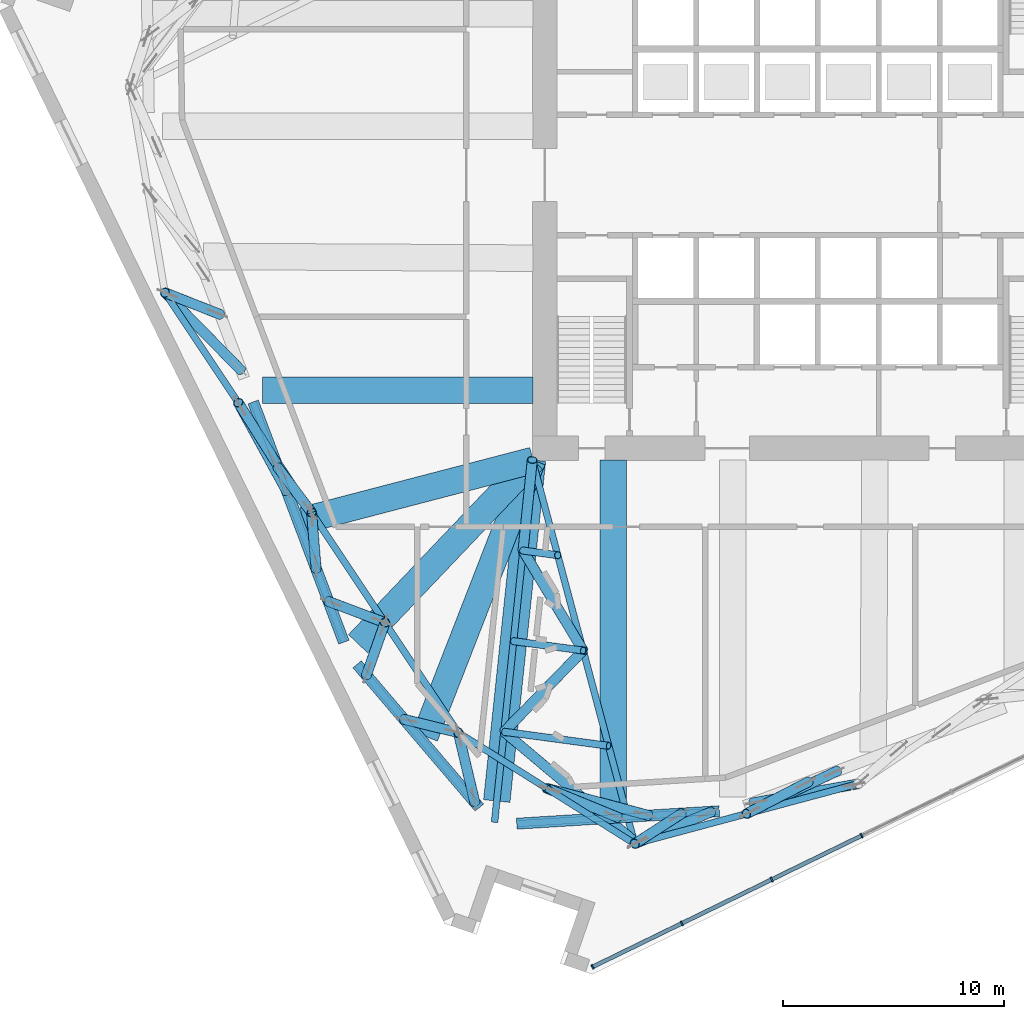
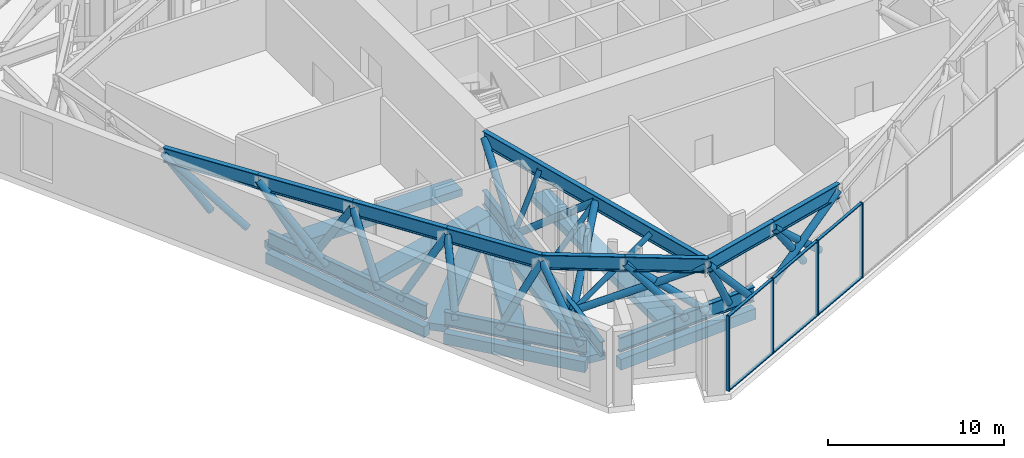
# One storey, part 1 of 21: 34 members, 22 beams, 1 element without a shape of its own.
"""IFC4 building model written with IfcOpenShell, lengths in metres."""

import ifcopenshell
import ifcopenshell.guid

model = None  # the IFC model being written
_history = None  # IfcOwnerHistory: only IFC2X3 demands one
_inside = {}  # id of a spatial element -> (the spatial element, [elements in it])
_under = {}  # id of a project, library or spatial element -> (it, [spatial elements below it])
_declared = {}  # id of a project -> (the project, [libraries it declares])
_typed = {}  # id of a type object -> (the type object, [elements of that type])
_made_of = {}  # id of a material, layer set ... -> (it, [elements and type objects made of it])


def new_model(schema):
    """Start an empty IFC model of exactly this schema.

    Asked for "IFC4X3", IfcOpenShell would pick the latest addendum, in which some entities
    have other attributes; the version numbers below select the first issue.
    IFC2X3 requires an IfcOwnerHistory on every rooted entity: one is made here for all.
    """
    global model, _history
    if schema == "IFC4X3":
        model = ifcopenshell.file(schema_version=(4, 3, 0, 0))
    else:
        model = ifcopenshell.file(schema=schema)
    _inside.clear()
    _under.clear()
    _declared.clear()
    _typed.clear()
    _made_of.clear()
    _history = None
    if model.schema == "IFC2X3":
        org = make("IfcOrganization", Name="unknown")
        user = make(
            "IfcPersonAndOrganization",
            ThePerson=make("IfcPerson", FamilyName="unknown"),
            TheOrganization=org,
        )
        app = make(
            "IfcApplication",
            ApplicationDeveloper=org,
            Version="unknown",
            ApplicationFullName="unknown",
            ApplicationIdentifier="unknown",
        )
        _history = make(
            "IfcOwnerHistory",
            OwningUser=user,
            OwningApplication=app,
            ChangeAction="ADDED",
            CreationDate=0,
        )
    return model


def make(cls, **values):
    """One entity of the class cls with the attributes given. An attribute that is None is left unset."""
    return model.create_entity(
        cls, **{name: value for name, value in values.items() if value is not None}
    )


def rooted(cls, **values):
    """An entity with a GlobalId (a new one), such as an element, a storey or a relation."""
    return make(cls, GlobalId=ifcopenshell.guid.new(), OwnerHistory=_history, **values)


def si_unit(unit_type, name, prefix=None):
    """IfcSIUnit, for example si_unit("LENGTHUNIT", "METRE", prefix="MILLI")."""
    return make("IfcSIUnit", UnitType=unit_type, Prefix=prefix, Name=name)


def assignment(units):
    """IfcUnitAssignment: the units of a project."""
    return None if units is None else make("IfcUnitAssignment", Units=units)


def point(xyz):
    """IfcCartesianPoint."""
    return None if xyz is None else make("IfcCartesianPoint", Coordinates=xyz)


def direction(xyz):
    """IfcDirection."""
    return None if xyz is None else make("IfcDirection", DirectionRatios=xyz)


def frame(location, z_axis=None, x_axis=None):
    """IfcAxis2Placement3D, a coordinate frame: its origin and axes. An axis left out is left unset."""
    return make(
        "IfcAxis2Placement3D",
        Location=point(location),
        Axis=direction(z_axis),
        RefDirection=direction(x_axis),
    )


def frame_2d(location, x_axis=None):
    """IfcAxis2Placement2D, a coordinate frame in the plane: its origin and x axis."""
    return make(
        "IfcAxis2Placement2D", Location=point(location), RefDirection=direction(x_axis)
    )


def origin():
    """The frame at (0, 0, 0) with its axes left unset."""
    return frame((0.0, 0.0, 0.0))


def origin_2d():
    """The frame at (0, 0) in the plane with its x axis left unset."""
    return frame_2d((0.0, 0.0))


def place(relative_to, where):
    """IfcLocalPlacement: puts the frame where relative to a parent placement (None: the world)."""
    return make(
        "IfcLocalPlacement", PlacementRelTo=relative_to, RelativePlacement=where
    )


def context(
    kind, dimensions, precision=None, world=None, true_north=None, identifier=None
):
    """IfcGeometricRepresentationContext, for example the 3D "Model" context."""
    return make(
        "IfcGeometricRepresentationContext",
        ContextIdentifier=identifier,
        ContextType=kind,
        CoordinateSpaceDimension=dimensions,
        Precision=precision,
        WorldCoordinateSystem=world,
        TrueNorth=true_north,
    )


def subcontext(parent, identifier, kind, view, scale=None):
    """IfcGeometricRepresentationSubContext, for example "Body" below "Model"."""
    return make(
        "IfcGeometricRepresentationSubContext",
        ContextIdentifier=identifier,
        ContextType=kind,
        ParentContext=parent,
        TargetScale=scale,
        TargetView=view,
    )


def project(units=None, contexts=None):
    """IfcProject with its units and contexts."""
    return rooted(
        "IfcProject",
        Name="project",
        RepresentationContexts=contexts,
        UnitsInContext=assignment(units),
    )


def spatial(cls, under=None, at=None, **own):
    """A site, building, storey or space (cls), placed at a placement, below another one or the project."""
    s = rooted(cls, ObjectPlacement=at, **own)
    if under is not None:
        _under.setdefault(under.id(), (under, []))[1].append(s)
    return s


def profile(cls, at=None, kind="AREA", **sizes):
    """A parametric profile (cls). Its sizes go by their IFC names, for example OverallWidth=200.0."""
    return make(cls, ProfileType=kind, Position=at, **sizes)


def rectangle(**sizes):
    """IfcRectangleProfileDef."""
    return profile("IfcRectangleProfileDef", **sizes)


def hollow_circle(**sizes):
    """IfcCircleHollowProfileDef."""
    return profile("IfcCircleHollowProfileDef", **sizes)


def i_section(**sizes):
    """IfcIShapeProfileDef."""
    return profile("IfcIShapeProfileDef", **sizes)


def extrude(swept, where, along, depth):
    """IfcExtrudedAreaSolid: the profile swept, set in the frame where, extruded along a direction by depth."""
    return make(
        "IfcExtrudedAreaSolid",
        SweptArea=swept,
        Position=where,
        ExtrudedDirection=direction(along),
        Depth=depth,
    )


def shape(context_of_items, identifier, shape_type, items):
    """IfcShapeRepresentation: the items that make up one representation, for example the "Body"."""
    return make(
        "IfcShapeRepresentation",
        ContextOfItems=context_of_items,
        RepresentationIdentifier=identifier,
        RepresentationType=shape_type,
        Items=items,
    )


def material(Name=None, Category=None):
    """IfcMaterial."""
    return make("IfcMaterial", Name=Name, Category=Category)


def material_profile(
    of_material, cross_section, Name=None, Category=None, Priority=None
):
    """IfcMaterialProfile: a cross section and its material."""
    return make(
        "IfcMaterialProfile",
        Name=Name,
        Material=of_material,
        Profile=cross_section,
        Priority=Priority,
        Category=Category,
    )


def profile_set(profiles, Name=None, composite=None):
    """IfcMaterialProfileSet."""
    return make(
        "IfcMaterialProfileSet",
        Name=Name,
        MaterialProfiles=profiles,
        CompositeProfile=composite,
    )


def made_of(thing, what):
    """Note that an element or type object is made of a material, layer set ...; save() writes the relation."""
    if what is not None:
        _made_of.setdefault(what.id(), (what, []))[1].append(thing)
    return thing


def type_object(cls, material=None, **own):
    """A type object (cls), such as IfcWallType, which elements share."""
    return made_of(rooted(cls, **own), material)


def element(
    cls,
    number,
    at=None,
    inside=None,
    cuts=None,
    type_object=None,
    material=None,
    context=None,
    identifier="Body",
    shape_type=None,
    held_by="IfcProductDefinitionShape",
    body=None,
    shapes=None,
    **own,
):
    """One element of the class cls, such as IfcWall. Its Tag is "e" and its number.

    at: its placement. inside: the storey or other place that contains it. cuts: it is an
    opening in that element (IfcRelVoidsElement). A single representation is given by context,
    identifier, shape_type and body (its items); several are given by shapes. held_by: the class
    of the entity that holds the representations. save() writes the other relations.
    """
    e = rooted(cls, Tag="e%d" % number, ObjectPlacement=at, **own)
    if body is not None:
        shapes = [shape(context, identifier, shape_type, body)]
    if shapes is not None:
        e.Representation = make(held_by, Representations=shapes)
    if inside is not None:
        _inside.setdefault(inside.id(), (inside, []))[1].append(e)
    if cuts is not None:
        rooted(
            "IfcRelVoidsElement", RelatingBuildingElement=cuts, RelatedOpeningElement=e
        )
    if type_object is not None:
        _typed.setdefault(type_object.id(), (type_object, []))[1].append(e)
    return made_of(e, material)


def aggregate(whole, parts):
    """IfcRelAggregates: a whole, such as a stair, and the parts it consists of."""
    return rooted("IfcRelAggregates", RelatingObject=whole, RelatedObjects=parts)


def save(model, path):
    """Write the relations noted so far, then the file.

    IfcRelAggregates (storeys below a building ...), IfcRelContainedInSpatialStructure (elements
    in a storey), IfcRelDefinesByType, IfcRelAssociatesMaterial and IfcRelDeclares: one each for
    every whole, place, type object, material and project.
    """
    for whole, parts in _under.values():
        aggregate(whole, parts)
    for where, things in _inside.values():
        rooted(
            "IfcRelContainedInSpatialStructure",
            RelatedElements=things,
            RelatingStructure=where,
        )
    for kind, things in _typed.values():
        rooted("IfcRelDefinesByType", RelatedObjects=things, RelatingType=kind)
    for what, things in _made_of.values():
        rooted("IfcRelAssociatesMaterial", RelatedObjects=things, RelatingMaterial=what)
    for by, libraries in _declared.values():
        rooted("IfcRelDeclares", RelatingContext=by, RelatedDefinitions=libraries)
    model.write(path)


model = new_model("IFC4")

# Units and contexts
model_context = context("Model", 3, precision=1e-05, world=origin(), true_north=direction((0.0, 1.0)))
body_context = subcontext(model_context, "Body", "Model", "MODEL_VIEW")
ifc_project = project(units=[si_unit("LENGTHUNIT", "METRE"), si_unit("AREAUNIT", "SQUARE_METRE"), si_unit("VOLUMEUNIT", "CUBIC_METRE"), si_unit("PLANEANGLEUNIT", "RADIAN"), si_unit("MASSUNIT", "GRAM", prefix="KILO")], contexts=[model_context])

# Site, building, storey
site_placement = place(None, origin())
site = spatial("IfcSite", under=ifc_project, at=site_placement, CompositionType="ELEMENT")
building_placement = place(site_placement, origin())
building = spatial("IfcBuilding", under=site, at=building_placement, Name="Dilmun Exchange Tower", CompositionType="ELEMENT")
storey_placement = place(building_placement, frame((0.0, 0.0, 130.10009765625)))
storey = spatial("IfcBuildingStorey", under=building, at=storey_placement, Name="L30", CompositionType="ELEMENT", Elevation=130.10009765625)

# Beams
ifc_material_1 = material(Name="Concrete C40/50", Category="concrete")
ifc_material_profile_1 = material_profile(ifc_material_1, rectangle(XDim=1.199951171875, YDim=0.5, at=origin_2d()), Name="1200 x 500")
ifc_profile_set_1 = profile_set([ifc_material_profile_1], Name="Concrete C40/50")
beam_type_1 = type_object("IfcBeamType", Name="RC band beam 1200 x 500 C40/50", PredefinedType="BEAM", material=ifc_profile_set_1)
beam_1_placement = place(storey_placement, frame((-25.111572265625, -9.717041015625, -0.77001953125), z_axis=(1.0, 0.0, 0.0), x_axis=(0.0, 1.0, 0.0)))
element("IfcBeam", 1, at=beam_1_placement, inside=storey, type_object=beam_type_1, Name="Band beam 7", PredefinedType="BEAM", context=body_context, shape_type="SweptSolid", body=[
    extrude(rectangle(XDim=1.199951171875, YDim=0.5, at=origin_2d()), origin(), (0.0, 0.0, 1.0), 12.238525390625),
])
beam_2_placement = place(storey_placement, frame((-20.780517578125, -21.181884765625, -0.77001953125), z_axis=(0.689333244672, 0.724444392476, 0.0), x_axis=(-0.724444392476, 0.689333244672, 0.0)))
element("IfcBeam", 2, at=beam_2_placement, inside=storey, type_object=beam_type_1, Name="Band beam 8", PredefinedType="BEAM", context=body_context, shape_type="SweptSolid", body=[
    extrude(rectangle(XDim=1.199951171875, YDim=0.5, at=origin_2d()), origin(), (0.0, 0.0, 1.0), 11.459228515625),
])
beam_3_placement = place(storey_placement, frame((-14.51220703125, -28.289794921875, -0.77001953125), z_axis=(0.104185478447, 0.994557884731, 0.0), x_axis=(-0.994557884731, 0.104185478447, 0.0)))
element("IfcBeam", 3, at=beam_3_placement, inside=storey, type_object=beam_type_1, Name="Band beam 9", PredefinedType="BEAM", context=body_context, shape_type="SweptSolid", body=[
    extrude(rectangle(XDim=1.199951171875, YDim=0.5, at=origin_2d()), origin(), (0.0, 0.0, 1.0), 15.501220703125),
])
beam_4_placement = place(storey_placement, frame((-23.264892578125, -15.602294921875, -0.670166015625), z_axis=(0.967651305888, 0.252291399404, 0.0), x_axis=(-0.252291399404, 0.967651305888, 0.0)))
element("IfcBeam", 4, at=beam_4_placement, inside=storey, type_object=beam_type_1, Name="Band beam 23", PredefinedType="BEAM", context=body_context, shape_type="SweptSolid", body=[
    extrude(rectangle(XDim=1.199951171875, YDim=0.5, at=origin_2d()), origin(), (0.0, 0.0, 1.0), 10.738525390625),
])
beam_5_placement = place(storey_placement, frame((-17.75390625, -25.36572265625, -0.670166015625), z_axis=(0.362868113779, 0.931840507814, 0.0), x_axis=(-0.931840507814, 0.362868113779, 0.0)))
element("IfcBeam", 5, at=beam_5_placement, inside=storey, type_object=beam_type_1, Name="Band beam 24", PredefinedType="BEAM", context=body_context, shape_type="SweptSolid", body=[
    extrude(rectangle(XDim=1.199951171875, YDim=0.5, at=origin_2d()), origin(), (0.0, 0.0, 1.0), 13.404296875),
])
beam_6_placement = place(storey_placement, frame((-9.253173828125, -28.822509765625, -0.670166015625), z_axis=(0.000857199397, 0.999999632605, 0.0), x_axis=(-0.999999632605, 0.000857199397, 0.0)))
element("IfcBeam", 6, at=beam_6_placement, inside=storey, type_object=beam_type_1, Name="Band beam 25", PredefinedType="BEAM", context=body_context, shape_type="SweptSolid", body=[
    extrude(rectangle(XDim=1.199951171875, YDim=0.5, at=origin_2d()), origin(), (0.0, 0.0, 1.0), 15.949462890625),
])
ifc_material_profile_2 = material_profile(ifc_material_1, rectangle(XDim=0.5, YDim=0.75, at=origin_2d()), Name="500 x 750")
ifc_profile_set_2 = profile_set([ifc_material_profile_2], Name="Concrete C40/50")
beam_type_2 = type_object("IfcBeamType", Name="RC ring beam 500 x 750 C40/50", PredefinedType="SPANDREL", material=ifc_profile_set_2)
beam_7_placement = place(storey_placement, frame((-25.5234375, -10.2529296875, -0.795166015625), z_axis=(0.353303601311, -0.935508720056, 0.0), x_axis=(0.935508720056, 0.353303601311, 0.0)))
element("IfcBeam", 7, at=beam_7_placement, inside=storey, type_object=beam_type_2, Name="Ring beam 7", PredefinedType="SPANDREL", context=body_context, shape_type="SweptSolid", body=[
    extrude(rectangle(XDim=0.5, YDim=0.75, at=origin_2d()), origin(), (0.0, 0.0, 1.0), 11.604248046875),
])
beam_8_placement = place(storey_placement, frame((-20.82470703125, -22.109619140625, -0.795166015625), z_axis=(0.64900225023, -0.76078648726, 0.0), x_axis=(0.76078648726, 0.64900225023, 0.0)))
element("IfcBeam", 8, at=beam_8_placement, inside=storey, type_object=beam_type_2, Name="Ring beam 8", PredefinedType="SPANDREL", context=body_context, shape_type="SweptSolid", body=[
    extrude(rectangle(XDim=0.5, YDim=0.75, at=origin_2d()), origin(), (0.0, 0.0, 1.0), 8.515625),
])
beam_9_placement = place(storey_placement, frame((-13.608154296875, -29.3134765625, -0.795166015625), z_axis=(0.998117890072, 0.061324363166, 0.0), x_axis=(-0.061324363166, 0.998117890072, 0.0)))
element("IfcBeam", 9, at=beam_9_placement, inside=storey, type_object=beam_type_2, Name="Ring beam 9", PredefinedType="SPANDREL", context=body_context, shape_type="SweptSolid", body=[
    extrude(rectangle(XDim=0.5, YDim=0.75, at=origin_2d()), origin(), (0.0, 0.0, 1.0), 9.172607421875),
])

# Curtain wall, members
ifc_material_2 = material(Name="Anodised aluminium and clear glass", Category="aluminium")
curtain_wall_type = type_object("IfcCurtainWallType", Name="Sky lobby glazing", PredefinedType="NOTDEFINED", material=ifc_material_2)
curtain_wall_placement = place(storey_placement, origin())
curtain_wall = element("IfcCurtainWall", 10, at=curtain_wall_placement, inside=storey, type_object=curtain_wall_type, Name="Sky lobby glazing run SL16", PredefinedType="NOTDEFINED")
ifc_material_3 = material(Name="Anodised aluminium", Category="aluminium")
ifc_material_profile_3 = material_profile(ifc_material_3, rectangle(XDim=0.219970703125, YDim=0.070068359375, at=origin_2d()), Name="AL 70x220")
ifc_profile_set_3 = profile_set([ifc_material_profile_3], Name="Anodised aluminium")
member_type_1 = type_object("IfcMemberType", Name="Sky lobby glazing mullion 70 x 220", PredefinedType="MULLION", material=ifc_profile_set_3)
member_1_placement = place(storey_placement, frame((-10.183837890625, -35.7861328125, 0.0), z_axis=(0.0, 0.0, 1.0), x_axis=(-0.43837119956, 0.898794020561, 0.0)))
member_1 = element("IfcMember", 11, at=member_1_placement, type_object=member_type_1, Name="SL16 mullion 1", PredefinedType="MULLION", context=body_context, shape_type="SweptSolid", body=[
    extrude(rectangle(XDim=0.219970703125, YDim=0.070068359375, at=origin_2d()), origin(), (0.0, 0.0, 1.0), 5.199951171875),
])
member_2_placement = place(storey_placement, frame((-6.150146484375, -33.818603515625, 0.0), z_axis=(0.0, 0.0, 1.0), x_axis=(-0.43837119956, 0.898794020561, 0.0)))
member_2 = element("IfcMember", 12, at=member_2_placement, type_object=member_type_1, Name="SL16 mullion 2", PredefinedType="MULLION", context=body_context, shape_type="SweptSolid", body=[
    extrude(rectangle(XDim=0.219970703125, YDim=0.070068359375, at=origin_2d()), origin(), (0.0, 0.0, 1.0), 5.199951171875),
])
member_3_placement = place(storey_placement, frame((-2.0849609375, -31.8359375, 0.0), z_axis=(0.0, 0.0, 1.0), x_axis=(-0.43837119956, 0.898794020561, 0.0)))
member_3 = element("IfcMember", 13, at=member_3_placement, type_object=member_type_1, Name="SL16 mullion 3", PredefinedType="MULLION", context=body_context, shape_type="SweptSolid", body=[
    extrude(rectangle(XDim=0.219970703125, YDim=0.070068359375, at=origin_2d()), origin(), (0.0, 0.0, 1.0), 5.199951171875),
])
member_4_placement = place(storey_placement, frame((1.97998046875, -29.853271484375, 0.0), z_axis=(0.0, 0.0, 1.0), x_axis=(-0.43837119956, 0.898794020561, 0.0)))
member_4 = element("IfcMember", 14, at=member_4_placement, type_object=member_type_1, Name="SL16 mullion 4", PredefinedType="MULLION", context=body_context, shape_type="SweptSolid", body=[
    extrude(rectangle(XDim=0.219970703125, YDim=0.070068359375, at=origin_2d()), origin(), (0.0, 0.0, 1.0), 5.199951171875),
])
ifc_material_profile_4 = material_profile(ifc_material_3, rectangle(XDim=0.179931640625, YDim=0.070068359375, at=origin_2d()), Name="AL 70x180")
ifc_profile_set_4 = profile_set([ifc_material_profile_4], Name="Anodised aluminium")
member_type_2 = type_object("IfcMemberType", Name="Sky lobby glazing transom 70 x 180", PredefinedType="USERDEFINED", material=ifc_profile_set_4)
member_5_placement = place(storey_placement, frame((-10.15234375, -35.770751953125, 0.034912109375), z_axis=(0.89878278516, 0.438394234793, 0.0), x_axis=(-0.438394234793, 0.89878278516, 0.0)))
member_5 = element("IfcMember", 15, at=member_5_placement, type_object=member_type_2, Name="SL16 transom 1.1", ObjectType="TRANSOM", PredefinedType="USERDEFINED", context=body_context, shape_type="SweptSolid", body=[
    extrude(rectangle(XDim=0.179931640625, YDim=0.070068359375, at=origin_2d()), origin(), (0.0, 0.0, 1.0), 4.41796875),
])
member_6_placement = place(storey_placement, frame((-10.15234375, -35.770751953125, 5.164794921875), z_axis=(0.89878278516, 0.438394234793, 0.0), x_axis=(-0.438394234793, 0.89878278516, 0.0)))
member_6 = element("IfcMember", 16, at=member_6_placement, type_object=member_type_2, Name="SL16 transom 1.2", ObjectType="TRANSOM", PredefinedType="USERDEFINED", context=body_context, shape_type="SweptSolid", body=[
    extrude(rectangle(XDim=0.179931640625, YDim=0.070068359375, at=origin_2d()), origin(), (0.0, 0.0, 1.0), 4.41796875),
])
member_7_placement = place(storey_placement, frame((-6.11865234375, -33.803466796875, 0.034912109375), z_axis=(0.898781091604, 0.438397706854, 0.0), x_axis=(-0.438397706854, 0.898781091604, 0.0)))
member_7 = element("IfcMember", 17, at=member_7_placement, type_object=member_type_2, Name="SL16 transom 2.1", ObjectType="TRANSOM", PredefinedType="USERDEFINED", context=body_context, shape_type="SweptSolid", body=[
    extrude(rectangle(XDim=0.179931640625, YDim=0.070068359375, at=origin_2d()), origin(), (0.0, 0.0, 1.0), 4.452880859375),
])
member_8_placement = place(storey_placement, frame((-6.11865234375, -33.803466796875, 5.164794921875), z_axis=(0.898781091604, 0.438397706854, 0.0), x_axis=(-0.438397706854, 0.898781091604, 0.0)))
member_8 = element("IfcMember", 18, at=member_8_placement, type_object=member_type_2, Name="SL16 transom 2.2", ObjectType="TRANSOM", PredefinedType="USERDEFINED", context=body_context, shape_type="SweptSolid", body=[
    extrude(rectangle(XDim=0.179931640625, YDim=0.070068359375, at=origin_2d()), origin(), (0.0, 0.0, 1.0), 4.452880859375),
])
member_9_placement = place(storey_placement, frame((-2.0537109375, -31.820556640625, 0.034912109375), z_axis=(0.898802694212, 0.438353415496, 0.0), x_axis=(-0.438353415496, 0.898802694212, 0.0)))
member_9 = element("IfcMember", 19, at=member_9_placement, type_object=member_type_2, Name="SL16 transom 3.1", ObjectType="TRANSOM", PredefinedType="USERDEFINED", context=body_context, shape_type="SweptSolid", body=[
    extrude(rectangle(XDim=0.179931640625, YDim=0.070068359375, at=origin_2d()), origin(), (0.0, 0.0, 1.0), 4.452880859375),
])
member_10_placement = place(storey_placement, frame((-2.0537109375, -31.820556640625, 5.164794921875), z_axis=(0.898802694212, 0.438353415496, 0.0), x_axis=(-0.438353415496, 0.898802694212, 0.0)))
member_10 = element("IfcMember", 20, at=member_10_placement, type_object=member_type_2, Name="SL16 transom 3.2", ObjectType="TRANSOM", PredefinedType="USERDEFINED", context=body_context, shape_type="SweptSolid", body=[
    extrude(rectangle(XDim=0.179931640625, YDim=0.070068359375, at=origin_2d()), origin(), (0.0, 0.0, 1.0), 4.452880859375),
])
aggregate(curtain_wall, [member_1, member_2, member_3, member_4, member_5, member_6, member_7, member_8, member_9, member_10])

# Beams
ifc_material_4 = material(Name="Steel S355", Category="steel")
ifc_material_profile_5 = material_profile(ifc_material_4, i_section(OverallWidth=0.300048828125, OverallDepth=1.0, WebThickness=0.01904296875, FlangeThickness=0.035888671875, FilletRadius=0.030029296875, at=origin_2d()), Name="HEB 1000")
ifc_profile_set_5 = profile_set([ifc_material_profile_5], Name="Steel S355")
beam_type_3 = type_object("IfcBeamType", Name="belt bottom chord HEB 1000", PredefinedType="BEAM", material=ifc_profile_set_5)
beam_10_placement = place(storey_placement, frame((-25.5234375, -10.2529296875, 0.5), z_axis=(0.353303601311, -0.935508720056, 0.0), x_axis=(0.935508720056, 0.353303601311, 0.0)))
element("IfcBeam", 21, at=beam_10_placement, inside=storey, type_object=beam_type_3, Name="Belt bottom chord 7", PredefinedType="BEAM", context=body_context, shape_type="SweptSolid", body=[
    extrude(i_section(OverallWidth=0.300048828125, OverallDepth=1.0, WebThickness=0.01904296875, FlangeThickness=0.035888671875, FilletRadius=0.030029296875, at=origin_2d()), origin(), (0.0, 0.0, 1.0), 11.604248046875),
])
beam_11_placement = place(storey_placement, frame((-20.82470703125, -22.109619140625, 0.5), z_axis=(0.64900225023, -0.76078648726, 0.0), x_axis=(0.76078648726, 0.64900225023, 0.0)))
element("IfcBeam", 22, at=beam_11_placement, inside=storey, type_object=beam_type_3, Name="Belt bottom chord 8", PredefinedType="BEAM", context=body_context, shape_type="SweptSolid", body=[
    extrude(i_section(OverallWidth=0.300048828125, OverallDepth=1.0, WebThickness=0.01904296875, FlangeThickness=0.035888671875, FilletRadius=0.030029296875, at=origin_2d()), origin(), (0.0, 0.0, 1.0), 8.515625),
])
beam_12_placement = place(storey_placement, frame((-13.608154296875, -29.3134765625, 0.5), z_axis=(0.998117890072, 0.061324363166, 0.0), x_axis=(-0.061324363166, 0.998117890072, 0.0)))
element("IfcBeam", 23, at=beam_12_placement, inside=storey, type_object=beam_type_3, Name="Belt bottom chord 9", PredefinedType="BEAM", context=body_context, shape_type="SweptSolid", body=[
    extrude(i_section(OverallWidth=0.300048828125, OverallDepth=1.0, WebThickness=0.01904296875, FlangeThickness=0.035888671875, FilletRadius=0.030029296875, at=origin_2d()), origin(), (0.0, 0.0, 1.0), 9.172607421875),
])
ifc_material_profile_6 = material_profile(ifc_material_4, i_section(OverallWidth=0.300048828125, OverallDepth=1.0, WebThickness=0.01904296875, FlangeThickness=0.035888671875, FilletRadius=0.030029296875, at=origin_2d()), Name="HEB 1000")
ifc_profile_set_6 = profile_set([ifc_material_profile_6], Name="Steel S355")
beam_type_4 = type_object("IfcBeamType", Name="outrigger chord HEB 1000", PredefinedType="BEAM", material=ifc_profile_set_6)
beam_13_placement = place(storey_placement, frame((-12.897216796875, -12.873046875, 0.5), z_axis=(-0.104191710011, -0.99455723192, 0.0), x_axis=(0.99455723192, -0.104191710011, 0.0)))
element("IfcBeam", 24, at=beam_13_placement, inside=storey, type_object=beam_type_4, Name="Outrigger bottom chord 3", PredefinedType="BEAM", context=body_context, shape_type="SweptSolid", body=[
    extrude(i_section(OverallWidth=0.300048828125, OverallDepth=1.0, WebThickness=0.01904296875, FlangeThickness=0.035888671875, FilletRadius=0.030029296875, at=origin_2d()), origin(), (0.0, 0.0, 1.0), 16.47021484375),
])
beam_14_placement = place(storey_placement, frame((-12.906982421875, -12.873779296875, 4.599853515625), z_axis=(0.257917450384, -0.966166956994, 0.0), x_axis=(0.966166956994, 0.257917450384, 0.0)))
element("IfcBeam", 25, at=beam_14_placement, inside=storey, type_object=beam_type_4, Name="Outrigger top chord 3", PredefinedType="BEAM", context=body_context, shape_type="SweptSolid", body=[
    extrude(i_section(OverallWidth=0.300048828125, OverallDepth=1.0, WebThickness=0.01904296875, FlangeThickness=0.035888671875, FilletRadius=0.030029296875, at=origin_2d()), origin(), (0.0, 0.0, 1.0), 17.830810546875),
])

# Members
ifc_material_profile_7 = material_profile(ifc_material_4, hollow_circle(Radius=0.161865234375, WallThickness=0.01611328125, at=origin_2d()), Name="CHS 323.9x16")
ifc_profile_set_7 = profile_set([ifc_material_profile_7], Name="Steel S355")
member_type_3 = type_object("IfcMemberType", Name="outrigger post CHS 323.9x16", PredefinedType="POST", material=ifc_profile_set_7)
member_11_placement = place(storey_placement, frame((-11.757080078125, -17.1806640625, 4.599853515625), z_axis=(-0.357018049694, 0.048328256299, -0.932846446011), x_axis=(-0.134142979507, -0.990961987691, 0.0)))
element("IfcMember", 26, at=member_11_placement, inside=storey, type_object=member_type_3, Name="Outrigger post 3.1", PredefinedType="POST", context=body_context, shape_type="SweptSolid", body=[
    extrude(hollow_circle(Radius=0.161865234375, WallThickness=0.01611328125, at=origin_2d()), origin(), (0.0, 0.0, 1.0), 4.39501953125),
])
member_12_placement = place(storey_placement, frame((-10.607421875, -21.487548828125, 4.599853515625), z_axis=(-0.606938475198, 0.081769342389, -0.790531126503), x_axis=(-0.133518000183, -0.991046388232, 0.0)))
element("IfcMember", 27, at=member_12_placement, inside=storey, type_object=member_type_3, Name="Outrigger post 3.2", PredefinedType="POST", context=body_context, shape_type="SweptSolid", body=[
    extrude(hollow_circle(Radius=0.161865234375, WallThickness=0.01611328125, at=origin_2d()), origin(), (0.0, 0.0, 1.0), 5.186279296875),
])
member_13_placement = place(storey_placement, frame((-9.457763671875, -25.79443359375, 4.599853515625), z_axis=(-0.751522947695, 0.101126983767, -0.651909957159), x_axis=(-0.133360762025, -0.991067559328, 0.0)))
element("IfcMember", 28, at=member_13_placement, inside=storey, type_object=member_type_3, Name="Outrigger post 3.3", PredefinedType="POST", context=body_context, shape_type="SweptSolid", body=[
    extrude(hollow_circle(Radius=0.161865234375, WallThickness=0.01611328125, at=origin_2d()), origin(), (0.0, 0.0, 1.0), 6.2890625),
])

# Beams
ifc_material_profile_8 = material_profile(ifc_material_4, i_section(OverallWidth=0.302001953125, OverallDepth=1.008056640625, WebThickness=0.02099609375, FlangeThickness=0.0400390625, FilletRadius=0.030029296875, at=origin_2d()), Name="HEM 1000")
ifc_profile_set_8 = profile_set([ifc_material_profile_8], Name="Steel S355")
beam_type_5 = type_object("IfcBeamType", Name="transfer chord HEM 1000", PredefinedType="BEAM", material=ifc_profile_set_8)
for number, where, z_axis, x_axis, name in (
    (29, (-29.510009765625, -5.31201171875, 4.69580078125), (0.55471905467, -0.832037721733, 0.0), (0.832037721733, 0.55471905467, 0.0), "Transfer chord 11"),
    (30, (-26.195556640625, -10.283447265625, 4.69580078125), (0.55471905467, -0.832037721733, 0.0), (0.832037721733, 0.55471905467, 0.0), "Transfer chord 12"),
):
    element("IfcBeam", number, at=place(storey_placement, frame(where, z_axis=z_axis, x_axis=x_axis)), inside=storey, type_object=beam_type_5, Name=name, PredefinedType="BEAM", context=body_context, shape_type="SweptSolid", body=[
        extrude(i_section(OverallWidth=0.302001953125, OverallDepth=1.008056640625, WebThickness=0.02099609375, FlangeThickness=0.0400390625, FilletRadius=0.030029296875, at=origin_2d()), origin(), (0.0, 0.0, 1.0), 5.97509765625),
    ])
beam_15_placement = place(storey_placement, frame((-22.881103515625, -15.2548828125, 4.69580078125), z_axis=(0.554728482183, -0.832031436338, 0.0), x_axis=(0.832031436338, 0.554728482183, 0.0)))
element("IfcBeam", 31, at=beam_15_placement, inside=storey, type_object=beam_type_5, Name="Transfer chord 13", PredefinedType="BEAM", context=body_context, shape_type="SweptSolid", body=[
    extrude(i_section(OverallWidth=0.302001953125, OverallDepth=1.008056640625, WebThickness=0.02099609375, FlangeThickness=0.0400390625, FilletRadius=0.030029296875, at=origin_2d()), origin(), (0.0, 0.0, 1.0), 5.975341796875),
])
beam_16_placement = place(storey_placement, frame((-19.56640625, -20.2265625, 4.69580078125), z_axis=(0.55471905467, -0.832037721733, 0.0), x_axis=(0.832037721733, 0.55471905467, 0.0)))
element("IfcBeam", 32, at=beam_16_placement, inside=storey, type_object=beam_type_5, Name="Transfer chord 14", PredefinedType="BEAM", context=body_context, shape_type="SweptSolid", body=[
    extrude(i_section(OverallWidth=0.302001953125, OverallDepth=1.008056640625, WebThickness=0.02099609375, FlangeThickness=0.0400390625, FilletRadius=0.030029296875, at=origin_2d()), origin(), (0.0, 0.0, 1.0), 5.97509765625),
])
for number, where, z_axis, x_axis, name in (
    (33, (-16.251953125, -25.197998046875, 4.69580078125), (0.846186123418, -0.532887459541, 0.0), (0.532887459541, 0.846186123418, 0.0), "Transfer chord 15"),
    (34, (-12.263916015625, -27.70947265625, 4.69580078125), (0.846186123418, -0.532887459541, 0.0), (0.532887459541, 0.846186123418, 0.0), "Transfer chord 16"),
):
    element("IfcBeam", number, at=place(storey_placement, frame(where, z_axis=z_axis, x_axis=x_axis)), inside=storey, type_object=beam_type_5, Name=name, PredefinedType="BEAM", context=body_context, shape_type="SweptSolid", body=[
        extrude(i_section(OverallWidth=0.302001953125, OverallDepth=1.008056640625, WebThickness=0.02099609375, FlangeThickness=0.0400390625, FilletRadius=0.030029296875, at=origin_2d()), origin(), (0.0, 0.0, 1.0), 4.712890625),
    ])
beam_17_placement = place(storey_placement, frame((-8.27587890625, -30.220947265625, 4.69580078125), z_axis=(0.965844548465, 0.25912218778, 0.0), x_axis=(-0.25912218778, 0.965844548465, 0.0)))
element("IfcBeam", 35, at=beam_17_placement, inside=storey, type_object=beam_type_5, Name="Transfer chord 17", PredefinedType="BEAM", context=body_context, shape_type="SweptSolid", body=[
    extrude(i_section(OverallWidth=0.302001953125, OverallDepth=1.008056640625, WebThickness=0.02099609375, FlangeThickness=0.0400390625, FilletRadius=0.030029296875, at=origin_2d()), origin(), (0.0, 0.0, 1.0), 5.225341796875),
])
beam_18_placement = place(storey_placement, frame((-3.22900390625, -28.866943359375, 4.69580078125), z_axis=(0.965847685393, 0.259110495003, 0.0), x_axis=(-0.259110495003, 0.965847685393, 0.0)))
element("IfcBeam", 36, at=beam_18_placement, inside=storey, type_object=beam_type_5, Name="Transfer chord 18", PredefinedType="BEAM", context=body_context, shape_type="SweptSolid", body=[
    extrude(i_section(OverallWidth=0.302001953125, OverallDepth=1.008056640625, WebThickness=0.02099609375, FlangeThickness=0.0400390625, FilletRadius=0.030029296875, at=origin_2d()), origin(), (0.0, 0.0, 1.0), 5.2255859375),
])

# Members
ifc_material_profile_9 = material_profile(ifc_material_4, hollow_circle(Radius=0.228515625, WallThickness=0.02490234375, at=origin_2d()), Name="CHS 457x25")
ifc_profile_set_9 = profile_set([ifc_material_profile_9], Name="Steel S355")
member_type_4 = type_object("IfcMemberType", Name="truss diagonal CHS 457x25", PredefinedType="BRACE", material=ifc_profile_set_9)
member_14_placement = place(storey_placement, frame((-29.510009765625, -5.31201171875, 4.69580078125), z_axis=(0.532965050017, -0.543493034225, -0.648508733333), x_axis=(0.713988286187, 0.700157644526, 0.0)))
element("IfcMember", 37, at=member_14_placement, inside=storey, type_object=member_type_4, Name="Truss diagonal 21", PredefinedType="BRACE", context=body_context, shape_type="SweptSolid", body=[
    extrude(hollow_circle(Radius=0.228515625, WallThickness=0.02490234375, at=origin_2d()), origin(), (0.0, 0.0, 1.0), 6.469970703125),
])
member_15_placement = place(storey_placement, frame((-29.510009765625, -5.31201171875, 4.69580078125), z_axis=(0.500511354162, -0.197507028242, -0.842899376053), x_axis=(0.367064841078, 0.93019535714, 0.0)))
element("IfcMember", 38, at=member_15_placement, inside=storey, type_object=member_type_4, Name="Truss diagonal 22", PredefinedType="BRACE", context=body_context, shape_type="SweptSolid", body=[
    extrude(hollow_circle(Radius=0.228515625, WallThickness=0.02490234375, at=origin_2d()), origin(), (0.0, 0.0, 1.0), 4.977783203125),
])
member_16_placement = place(storey_placement, frame((-26.195556640625, -10.283447265625, 4.69580078125), z_axis=(0.323750594427, -0.514795316719, -0.793833316567), x_axis=(0.846514306156, 0.532365973248, 0.0)))
element("IfcMember", 39, at=member_16_placement, inside=storey, type_object=member_type_4, Name="Truss diagonal 23", PredefinedType="BRACE", context=body_context, shape_type="SweptSolid", body=[
    extrude(hollow_circle(Radius=0.228515625, WallThickness=0.02490234375, at=origin_2d()), origin(), (0.0, 0.0, 1.0), 5.285400390625),
])
member_17_placement = place(storey_placement, frame((-26.195556640625, -10.283447265625, 4.69580078125), z_axis=(0.354499154556, -0.647789821995, -0.674313499746), x_axis=(0.877234800285, 0.480061563936, 0.0)))
element("IfcMember", 40, at=member_17_placement, inside=storey, type_object=member_type_4, Name="Truss diagonal 24", PredefinedType="BRACE", context=body_context, shape_type="SweptSolid", body=[
    extrude(hollow_circle(Radius=0.228515625, WallThickness=0.02490234375, at=origin_2d()), origin(), (0.0, 0.0, 1.0), 6.222412109375),
])
for number, where, z_axis, x_axis, name in (
    (41, (-22.881103515625, -15.2548828125, 4.69580078125), (0.042019572225, -0.51756178428, -0.854613453558), (0.996720494589, 0.080921293037, 0.0), "Truss diagonal 25"),
    (42, (-22.881103515625, -15.2548828125, 4.69580078125), (-0.310598490267, 0.416120423719, -0.854618260282), (-0.80137692945, -0.598159691843, 0.0), "Truss diagonal 26"),
):
    element("IfcMember", number, at=place(storey_placement, frame(where, z_axis=z_axis, x_axis=x_axis)), inside=storey, type_object=member_type_4, Name=name, PredefinedType="BRACE", context=body_context, shape_type="SweptSolid", body=[
        extrude(hollow_circle(Radius=0.228515625, WallThickness=0.02490234375, at=origin_2d()), origin(), (0.0, 0.0, 1.0), 4.90966796875),
    ])
member_18_placement = place(storey_placement, frame((-19.56640625, -20.2265625, 4.69580078125), z_axis=(-0.171314037465, -0.485356514415, -0.857368389015), x_axis=(0.942983175827, -0.332840397347, 0.0)))
element("IfcMember", 43, at=member_18_placement, inside=storey, type_object=member_type_4, Name="Truss diagonal 27", PredefinedType="BRACE", context=body_context, shape_type="SweptSolid", body=[
    extrude(hollow_circle(Radius=0.228515625, WallThickness=0.02490234375, at=origin_2d()), origin(), (0.0, 0.0, 1.0), 4.893798828125),
])
member_19_placement = place(storey_placement, frame((-19.56640625, -20.2265625, 4.69580078125), z_axis=(-0.510147291987, 0.191823577708, -0.838423195954), x_axis=(-0.351957103113, -0.936016131041, 0.0)))
element("IfcMember", 44, at=member_19_placement, inside=storey, type_object=member_type_4, Name="Truss diagonal 28", PredefinedType="BRACE", context=body_context, shape_type="SweptSolid", body=[
    extrude(hollow_circle(Radius=0.228515625, WallThickness=0.02490234375, at=origin_2d()), origin(), (0.0, 0.0, 1.0), 5.00439453125),
])
member_20_placement = place(storey_placement, frame((-16.251953125, -25.197998046875, 4.69580078125), z_axis=(0.141450992829, -0.594453439742, -0.791591261073), x_axis=(0.972837748262, 0.231488046251, 0.0)))
element("IfcMember", 45, at=member_20_placement, inside=storey, type_object=member_type_4, Name="Truss diagonal 29", PredefinedType="BRACE", context=body_context, shape_type="SweptSolid", body=[
    extrude(hollow_circle(Radius=0.228515625, WallThickness=0.02490234375, at=origin_2d()), origin(), (0.0, 0.0, 1.0), 5.300537109375),
])
member_21_placement = place(storey_placement, frame((-16.251953125, -25.197998046875, 4.69580078125), z_axis=(-0.500739661049, 0.123091021817, -0.856801255952), x_axis=(-0.238711895788, -0.971090433899, 0.0)))
element("IfcMember", 46, at=member_21_placement, inside=storey, type_object=member_type_4, Name="Truss diagonal 30", PredefinedType="BRACE", context=body_context, shape_type="SweptSolid", body=[
    extrude(hollow_circle(Radius=0.228515625, WallThickness=0.02490234375, at=origin_2d()), origin(), (0.0, 0.0, 1.0), 4.89697265625),
])
member_22_placement = place(storey_placement, frame((-12.263916015625, -27.70947265625, 4.69580078125), z_axis=(0.592662136877, -0.242133705066, -0.768194545921), x_axis=(0.37820598675, 0.925721465445, 0.0)))
element("IfcMember", 47, at=member_22_placement, inside=storey, type_object=member_type_4, Name="Truss diagonal 31", PredefinedType="BRACE", context=body_context, shape_type="SweptSolid", body=[
    extrude(hollow_circle(Radius=0.228515625, WallThickness=0.02490234375, at=origin_2d()), origin(), (0.0, 0.0, 1.0), 5.4619140625),
])
member_23_placement = place(storey_placement, frame((-12.263916015625, -27.70947265625, 4.69580078125), z_axis=(0.727234150137, -0.194038928012, -0.658391513684), x_axis=(0.257798869052, 0.966198604385, 0.0)))
element("IfcMember", 48, at=member_23_placement, inside=storey, type_object=member_type_4, Name="Truss diagonal 32", PredefinedType="BRACE", context=body_context, shape_type="SweptSolid", body=[
    extrude(hollow_circle(Radius=0.228515625, WallThickness=0.02490234375, at=origin_2d()), origin(), (0.0, 0.0, 1.0), 6.372802734375),
])
member_24_placement = place(storey_placement, frame((-8.27587890625, -30.220947265625, 4.69580078125), z_axis=(0.616386518456, 0.257000955629, -0.744323967551), x_axis=(-0.38483641029, 0.922984797987, 0.0)))
element("IfcMember", 49, at=member_24_placement, inside=storey, type_object=member_type_4, Name="Truss diagonal 33", PredefinedType="BRACE", context=body_context, shape_type="SweptSolid", body=[
    extrude(hollow_circle(Radius=0.228515625, WallThickness=0.02490234375, at=origin_2d()), origin(), (0.0, 0.0, 1.0), 5.636962890625),
])
member_25_placement = place(storey_placement, frame((-8.27587890625, -30.220947265625, 4.69580078125), z_axis=(0.433090489414, 0.278935410789, -0.857104232044), x_axis=(-0.54147178098, 0.840718924732, 0.0)))
element("IfcMember", 50, at=member_25_placement, inside=storey, type_object=member_type_4, Name="Truss diagonal 34", PredefinedType="BRACE", context=body_context, shape_type="SweptSolid", body=[
    extrude(hollow_circle(Radius=0.228515625, WallThickness=0.02490234375, at=origin_2d()), origin(), (0.0, 0.0, 1.0), 4.895263671875),
])
member_26_placement = place(storey_placement, frame((-3.22900390625, -28.866943359375, 4.69580078125), z_axis=(0.535888545586, 0.276300123296, -0.797798037461), x_axis=(-0.458266324505, 0.888814927769, 0.0)))
element("IfcMember", 51, at=member_26_placement, inside=storey, type_object=member_type_4, Name="Truss diagonal 35", PredefinedType="BRACE", context=body_context, shape_type="SweptSolid", body=[
    extrude(hollow_circle(Radius=0.228515625, WallThickness=0.02490234375, at=origin_2d()), origin(), (0.0, 0.0, 1.0), 5.25927734375),
])
member_27_placement = place(storey_placement, frame((-3.22900390625, -28.866943359375, 4.69580078125), z_axis=(0.665801657292, 0.31419632266, -0.676748715532), x_axis=(-0.426773040492, 0.904358762831, 0.0)))
element("IfcMember", 52, at=member_27_placement, inside=storey, type_object=member_type_4, Name="Truss diagonal 36", PredefinedType="BRACE", context=body_context, shape_type="SweptSolid", body=[
    extrude(hollow_circle(Radius=0.228515625, WallThickness=0.02490234375, at=origin_2d()), origin(), (0.0, 0.0, 1.0), 6.199951171875),
])
member_28_placement = place(storey_placement, frame((1.818115234375, -27.512939453125, 4.69580078125), z_axis=(-0.744847989098, -0.13479432954, -0.653476825802), x_axis=(0.178076423509, -0.984016660118, 0.0)))
element("IfcMember", 53, at=member_28_placement, inside=storey, type_object=member_type_4, Name="Truss diagonal 37", PredefinedType="BRACE", context=body_context, shape_type="SweptSolid", body=[
    extrude(hollow_circle(Radius=0.228515625, WallThickness=0.02490234375, at=origin_2d()), origin(), (0.0, 0.0, 1.0), 6.420654296875),
])
member_29_placement = place(storey_placement, frame((-12.906982421875, -12.873779296875, 4.599853515625), z_axis=(-0.0721569106, -0.704801134343, -0.705725684159), x_axis=(0.994800100714, -0.101846745747, 0.0)))
element("IfcMember", 54, at=member_29_placement, inside=storey, type_object=member_type_4, Name="Outrigger diagonal 3.0", PredefinedType="BRACE", context=body_context, shape_type="SweptSolid", body=[
    extrude(hollow_circle(Radius=0.228515625, WallThickness=0.02490234375, at=origin_2d()), origin(), (0.0, 0.0, 1.0), 5.809326171875),
])
member_30_placement = place(storey_placement, frame((-10.607421875, -21.487548828125, 4.599853515625), z_axis=(-0.406989581228, 0.67652515608, -0.613737072338), x_axis=(-0.856891920845, -0.515496106668, 0.0)))
element("IfcMember", 55, at=member_30_placement, inside=storey, type_object=member_type_4, Name="Outrigger diagonal 3.1", PredefinedType="BRACE", context=body_context, shape_type="SweptSolid", body=[
    extrude(hollow_circle(Radius=0.228515625, WallThickness=0.02490234375, at=origin_2d()), origin(), (0.0, 0.0, 1.0), 6.68017578125),
])
member_31_placement = place(storey_placement, frame((-10.607421875, -21.487548828125, 4.599853515625), z_axis=(-0.544949175468, -0.5593075633, -0.62466426646), x_axis=(0.716240577052, -0.697853448644, 0.0)))
element("IfcMember", 56, at=member_31_placement, inside=storey, type_object=member_type_4, Name="Outrigger diagonal 3.2", PredefinedType="BRACE", context=body_context, shape_type="SweptSolid", body=[
    extrude(hollow_circle(Radius=0.228515625, WallThickness=0.02490234375, at=origin_2d()), origin(), (0.0, 0.0, 1.0), 6.563232421875),
])
member_32_placement = place(storey_placement, frame((-8.30810546875, -30.101318359375, 4.599853515625), z_axis=(-0.675052428507, 0.567854057983, -0.471005294661), x_axis=(-0.643730302236, -0.765252440691, 0.0)))
element("IfcMember", 57, at=member_32_placement, inside=storey, type_object=member_type_4, Name="Outrigger diagonal 3.3", PredefinedType="BRACE", context=body_context, shape_type="SweptSolid", body=[
    extrude(hollow_circle(Radius=0.228515625, WallThickness=0.02490234375, at=origin_2d()), origin(), (0.0, 0.0, 1.0), 8.70458984375),
])

save(model, "model.ifc")
